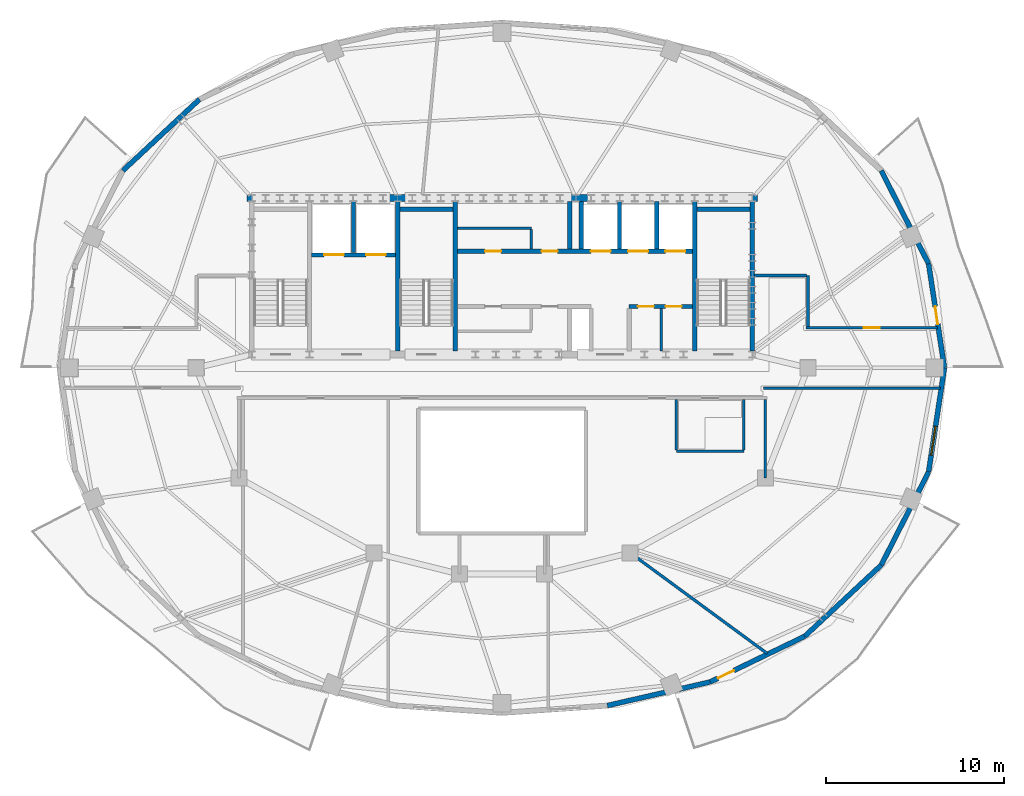
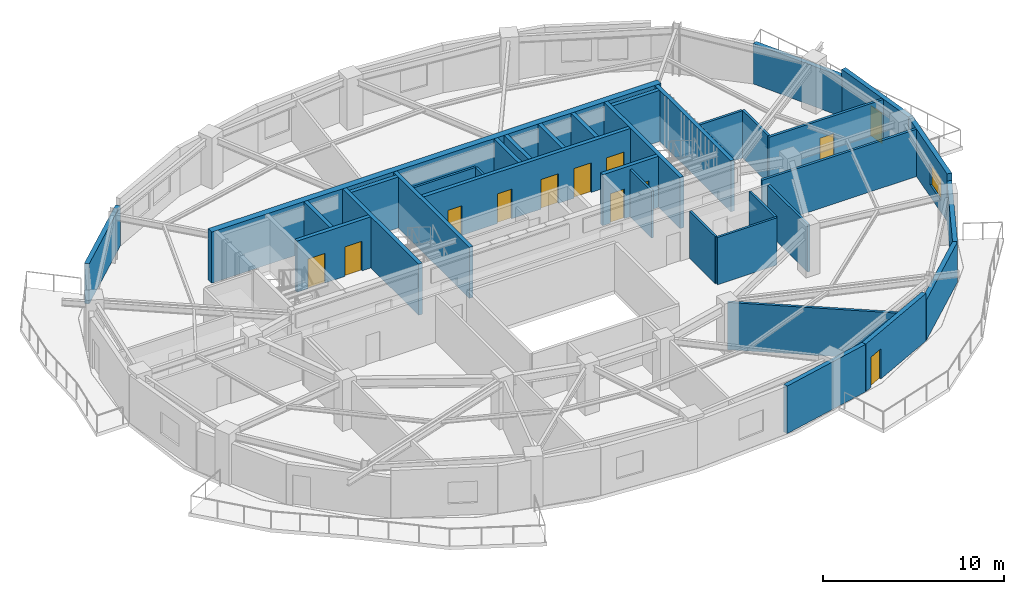
# One storey, part 5 of 10: 35 walls, 12 doors, 1 window, 13 openings.
"""IFC4 building model written with IfcOpenShell, lengths in metres."""

from ifc_helpers import new_model, si_unit, direction, frame, frame_2d, origin, place, context, subcontext, project, spatial, rectangle, extrude, material, layer, layer_set, type_object, element, fill, save


model = new_model("IFC4")

# Units and contexts
model_context = context("Model", 3, precision=1e-05, world=origin(), true_north=direction((0.0, 1.0)))
body_context = subcontext(model_context, "Body", "Model", "MODEL_VIEW")
ifc_project = project(units=[si_unit("LENGTHUNIT", "METRE"), si_unit("AREAUNIT", "SQUARE_METRE"), si_unit("VOLUMEUNIT", "CUBIC_METRE"), si_unit("PLANEANGLEUNIT", "RADIAN"), si_unit("MASSUNIT", "GRAM", prefix="KILO")], contexts=[model_context])

# Site, building, storey
site_placement = place(None, origin())
site = spatial("IfcSite", under=ifc_project, at=site_placement, CompositionType="ELEMENT")
building_placement = place(site_placement, origin())
building = spatial("IfcBuilding", under=site, at=building_placement, Name="Haldorwick Loom Tower", CompositionType="ELEMENT")
storey_placement = place(building_placement, frame((0.0, 0.0, 266.10009765625)))
storey = spatial("IfcBuildingStorey", under=building, at=storey_placement, Name="L72", CompositionType="ELEMENT", Elevation=266.10009765625)

# Wall, opening, door
ifc_material_1 = material(Name="Pressed Clay Face Brick and Insulated Masonry Backup Assembly", Category="masonry")
ifc_layer_1 = layer(ifc_material_1, 0.280029296875, Name="Pressed Clay Face Brick and Insulated Masonry Backup Assembly", Category="masonry")
ifc_layer_set_1 = layer_set([ifc_layer_1], Name="Pressed Clay Face Brick and Insulated Masonry Backup Assembly")
wall_type_1 = type_object("IfcWallType", Name="ARC-WL-EXT280", PredefinedType="STANDARD", material=ifc_layer_set_1)
wall_1_placement = place(storey_placement, frame((60.876708984375, 26.0, 0.0), z_axis=(0.0, 0.0, 1.0), x_axis=(-0.150497234153, 0.988610430105, 0.0)))
wall_1 = element("IfcWall", 1, at=wall_1_placement, inside=storey, type_object=wall_type_1, Name="L72 Brick Pier and Spandrel Wall 1", PredefinedType="STANDARD", context=body_context, shape_type="SweptSolid", body=[
    extrude(rectangle(XDim=5.916259765625, YDim=0.280029296875, at=frame_2d((2.9580078125, 0.0))), origin(), (0.0, 0.0, 1.0), 3.2099609375),
])
opening_1_placement = place(wall_1_placement, frame((2.488037109375, 0.0, 0.0)))
opening_1 = element("IfcOpeningElement", 2, at=opening_1_placement, cuts=wall_1, Name="Opening D-BL10", PredefinedType="OPENING", context=body_context, shape_type="SweptSolid", body=[
    extrude(rectangle(XDim=1.0, YDim=2.0400390625, at=frame_2d((0.5, 1.02001953125))), frame((0.0, 0.14990234375, 0.0), z_axis=(0.0, -1.0, 0.0), x_axis=(1.0, 0.0, 0.0)), (0.0, 0.0, 1.0), 0.300048828125),
])
ifc_material_2 = material(Name="Thermally Broken Anodized Aluminium Curtain Wall Framing", Category="aluminium")
door_type_1 = type_object("IfcDoorType", Name="ARC-DR-BAL100", OperationType="NOTDEFINED", PredefinedType="DOOR", material=ifc_material_2)
door_1_placement = place(opening_1_placement, origin())
door_1 = element("IfcDoor", 3, at=door_1_placement, inside=storey, type_object=door_type_1, Name="L72 Outdoor Terrace Door SLB-L72-BAL_ENE", OperationType="SINGLE_SWING_RIGHT", OverallHeight=2.0400390625, OverallWidth=1.0, PredefinedType="DOOR", context=body_context, shape_type="SweptSolid", body=[
    extrude(rectangle(XDim=1.0, YDim=2.0400390625, at=frame_2d((0.5, 1.02001953125))), frame((0.0, 0.02490234375, 0.0), z_axis=(0.0, -1.0, 0.0), x_axis=(1.0, 0.0, 0.0)), (0.0, 0.0, 1.0), 0.050048828125),
])
fill(opening_1, door_1)

# Walls
wall_2_placement = place(storey_placement, frame((59.986328125, 31.848876953125, 0.0), z_axis=(0.0, 0.0, 1.0), x_axis=(-0.453100705059, 0.89145933787, 0.0)))
element("IfcWall", 4, at=wall_2_placement, inside=storey, type_object=wall_type_1, Name="L72 Brick Pier and Spandrel Wall 2", PredefinedType="STANDARD", context=body_context, shape_type="SweptSolid", body=[
    extrude(rectangle(XDim=5.879150390625, YDim=0.280029296875, at=frame_2d((2.939453125, 0.0))), origin(), (0.0, 0.0, 1.0), 2.718994140625),
])
wall_3_placement = place(storey_placement, frame((18.98046875, 41.095703125, 0.0), z_axis=(0.0, 0.0, 1.0), x_axis=(-0.731924682982, -0.68138554317, 0.0)))
element("IfcWall", 5, at=wall_3_placement, inside=storey, type_object=wall_type_1, Name="L72 Brick Pier and Spandrel Wall 10", PredefinedType="STANDARD", context=body_context, shape_type="SweptSolid", body=[
    extrude(rectangle(XDim=5.87890625, YDim=0.280029296875, at=frame_2d((2.939453125, 0.0))), origin(), (0.0, 0.0, 1.0), 2.718994140625),
])
wall_4_placement = place(storey_placement, frame((41.91943359375, 7.006103515625, 0.0), z_axis=(0.0, 0.0, 1.0), x_axis=(0.974589984037, 0.223996345987, 0.0)))
element("IfcWall", 6, at=wall_4_placement, inside=storey, type_object=wall_type_1, Name="L72 Brick Pier and Spandrel Wall 20", PredefinedType="STANDARD", context=body_context, shape_type="SweptSolid", body=[
    extrude(rectangle(XDim=5.92919921875, YDim=0.280029296875, at=frame_2d((2.964599609375, 0.0))), origin(), (0.0, 0.0, 1.0), 3.2099609375),
])

# Wall, opening, door
wall_5_placement = place(storey_placement, frame((47.697998046875, 8.334228515625, 0.0), z_axis=(0.0, 0.0, 1.0), x_axis=(0.900481907967, 0.434893473651, 0.0)))
wall_5 = element("IfcWall", 7, at=wall_5_placement, inside=storey, type_object=wall_type_1, Name="L72 Brick Pier and Spandrel Wall 21", PredefinedType="STANDARD", context=body_context, shape_type="SweptSolid", body=[
    extrude(rectangle(XDim=5.90966796875, YDim=0.280029296875, at=frame_2d((2.954833984375, 0.0))), origin(), (0.0, 0.0, 1.0), 3.2099609375),
])
opening_2_placement = place(wall_5_placement, frame((0.486083984375, 0.0, 0.0)))
opening_2 = element("IfcOpeningElement", 8, at=opening_2_placement, cuts=wall_5, Name="Opening D-BL10", PredefinedType="OPENING", context=body_context, shape_type="SweptSolid", body=[
    extrude(rectangle(XDim=1.0, YDim=2.0400390625, at=frame_2d((0.5, 1.02001953125))), frame((0.0, 0.14990234375, 0.0), z_axis=(0.0, -1.0, 0.0), x_axis=(1.0, 0.0, 0.0)), (0.0, 0.0, 1.0), 0.300048828125),
])
door_2_placement = place(opening_2_placement, origin())
door_2 = element("IfcDoor", 9, at=door_2_placement, inside=storey, type_object=door_type_1, Name="L72 Outdoor Terrace Door SLB-L72-BAL_SE", OperationType="SINGLE_SWING_RIGHT", OverallHeight=2.0400390625, OverallWidth=1.0, PredefinedType="DOOR", context=body_context, shape_type="SweptSolid", body=[
    extrude(rectangle(XDim=1.0, YDim=2.0400390625, at=frame_2d((0.5, 1.02001953125))), frame((0.0, 0.02490234375, 0.0), z_axis=(0.0, -1.0, 0.0), x_axis=(1.0, 0.0, 0.0)), (0.0, 0.0, 1.0), 0.050048828125),
])
fill(opening_2, door_2)

# Walls
wall_6_placement = place(storey_placement, frame((53.01953125, 10.904296875, 0.0), z_axis=(0.0, 0.0, 1.0), x_axis=(0.731924682982, 0.68138554317, 0.0)))
element("IfcWall", 10, at=wall_6_placement, inside=storey, type_object=wall_type_1, Name="L72 Brick Pier and Spandrel Wall 22", PredefinedType="STANDARD", context=body_context, shape_type="SweptSolid", body=[
    extrude(rectangle(XDim=5.87890625, YDim=0.280029296875, at=frame_2d((2.939453125, 0.0))), origin(), (0.0, 0.0, 1.0), 2.718994140625),
])
wall_7_placement = place(storey_placement, frame((57.322509765625, 14.91015625, 0.0), z_axis=(0.0, 0.0, 1.0), x_axis=(0.453100705059, 0.89145933787, 0.0)))
element("IfcWall", 11, at=wall_7_placement, inside=storey, type_object=wall_type_1, Name="L72 Brick Pier and Spandrel Wall 23", PredefinedType="STANDARD", context=body_context, shape_type="SweptSolid", body=[
    extrude(rectangle(XDim=5.879150390625, YDim=0.280029296875, at=frame_2d((2.939453125, 0.0))), origin(), (0.0, 0.0, 1.0), 2.718994140625),
])

# Wall, opening, window
wall_8_placement = place(storey_placement, frame((59.986328125, 20.151123046875, 0.0), z_axis=(0.0, 0.0, 1.0), x_axis=(0.150497234153, 0.988610430105, 0.0)))
wall_8 = element("IfcWall", 12, at=wall_8_placement, inside=storey, type_object=wall_type_1, Name="L72 Brick Pier and Spandrel Wall 24", PredefinedType="STANDARD", context=body_context, shape_type="SweptSolid", body=[
    extrude(rectangle(XDim=5.916259765625, YDim=0.280029296875, at=frame_2d((2.9580078125, 0.0))), origin(), (0.0, 0.0, 1.0), 3.2099609375),
])
opening_3_placement = place(wall_8_placement, frame((0.949951171875, 0.0, 0.800048828125)))
opening_3 = element("IfcOpeningElement", 13, at=opening_3_placement, cuts=wall_8, Name="Opening W-01B", PredefinedType="OPENING", context=body_context, shape_type="SweptSolid", body=[
    extrude(rectangle(XDim=1.64990234375, YDim=1.449951171875, at=frame_2d((0.824951171875, 0.72509765625))), frame((0.0, 0.14990234375, 0.0), z_axis=(0.0, -1.0, 0.0), x_axis=(1.0, 0.0, 0.0)), (0.0, 0.0, 1.0), 0.300048828125),
])
ifc_material_3 = material(Name="Triple-Glazed Low-E Argon Insulated Glazing Unit", Category="glass")
window_type = type_object("IfcWindowType", Name="ARC-WIN-W165", PartitioningType="SINGLE_PANEL", PredefinedType="WINDOW", material=ifc_material_3)
window_placement = place(opening_3_placement, origin())
window = element("IfcWindow", 14, at=window_placement, inside=storey, type_object=window_type, Name="L72 Deep-Set Zone 7A Window 24", OverallHeight=1.449951171875, OverallWidth=1.64990234375, PartitioningType="SINGLE_PANEL", PredefinedType="WINDOW", context=body_context, shape_type="SweptSolid", body=[
    extrude(rectangle(XDim=1.64990234375, YDim=1.449951171875, at=frame_2d((0.824951171875, 0.72509765625))), frame((0.0, 0.030029296875, 0.0), z_axis=(0.0, -1.0, 0.0), x_axis=(1.0, 0.0, 0.0)), (0.0, 0.0, 1.0), 0.06005859375),
])
fill(opening_3, window)

# Wall
ifc_material_4 = material(Name="Fire-Rated Type X Gypsum Stud Assembly EI 60")
ifc_layer_2 = layer(ifc_material_4, 0.159912109375, Name="Fire-Rated Type X Gypsum Stud Assembly EI 60")
ifc_layer_set_2 = layer_set([ifc_layer_2], Name="Fire-Rated Type X Gypsum Stud Assembly EI 60")
wall_type_2 = type_object("IfcWallType", Name="ARC-WL-FIRE160", PredefinedType="PARTITIONING", material=ifc_layer_set_2)
wall_9_placement = place(storey_placement, frame((50.699951171875, 24.85009765625, 0.0), z_axis=(0.0, 0.0, 1.0), x_axis=(1.0, 0.0, 0.0)))
element("IfcWall", 15, at=wall_9_placement, inside=storey, type_object=wall_type_2, Name="L72 Residential Fire Partition L72-CR-SPE", PredefinedType="PARTITIONING", context=body_context, shape_type="SweptSolid", body=[
    extrude(rectangle(XDim=9.956298828125, YDim=0.159912109375, at=frame_2d((4.97802734375, 0.0))), origin(), (0.0, 0.0, 1.0), 3.19482421875),
])

# Wall, opening, door
wall_10_placement = place(storey_placement, frame((53.10009765625, 28.25, 0.0), z_axis=(0.0, 0.0, 1.0), x_axis=(1.0, 0.0, 0.0)))
wall_10 = element("IfcWall", 16, at=wall_10_placement, inside=storey, type_object=wall_type_2, Name="L72 Residential Fire Partition L72-CR-NEL", PredefinedType="PARTITIONING", context=body_context, shape_type="SweptSolid", body=[
    extrude(rectangle(XDim=7.388671875, YDim=0.159912109375, at=frame_2d((3.6943359375, 0.0))), origin(), (0.0, 0.0, 1.0), 3.19482421875),
])
opening_4_placement = place(wall_10_placement, frame((3.244384765625, 0.0, 0.0)))
opening_4 = element("IfcOpeningElement", 17, at=opening_4_placement, cuts=wall_10, Name="Opening D-FD60A", PredefinedType="OPENING", context=body_context, shape_type="SweptSolid", body=[
    extrude(rectangle(XDim=0.89990234375, YDim=2.0, at=frame_2d((0.449951171875, 1.0))), frame((0.0, 0.08984375, 0.0), z_axis=(0.0, -1.0, 0.0), x_axis=(1.0, 0.0, 0.0)), (0.0, 0.0, 1.0), 0.179931640625),
])
ifc_material_5 = material(Name="Hollow Steel Fire Door Assembly", Category="steel")
door_type_2 = type_object("IfcDoorType", Name="ARC-DR-FD60-90", OperationType="NOTDEFINED", PredefinedType="DOOR", material=ifc_material_5)
door_3_placement = place(opening_4_placement, frame((0.89990234375, 0.0, 0.0), z_axis=(0.0, 0.0, 1.0), x_axis=(-1.0, 0.0, 0.0)))
door_3 = element("IfcDoor", 18, at=door_3_placement, inside=storey, type_object=door_type_2, Name="L72 Community Library Hall 4 to L72 Central Residential Corridor Door", OperationType="SINGLE_SWING_LEFT", OverallHeight=2.0, OverallWidth=0.89990234375, PredefinedType="DOOR", context=body_context, shape_type="SweptSolid", body=[
    extrude(rectangle(XDim=0.89990234375, YDim=2.0, at=frame_2d((0.449951171875, 1.0))), frame((0.0, 0.02490234375, 0.0), z_axis=(0.0, -1.0, 0.0), x_axis=(1.0, 0.0, 0.0)), (0.0, 0.0, 1.0), 0.050048828125),
])
fill(opening_4, door_3)

# Walls
wall_11_placement = place(storey_placement, frame((53.199951171875, 28.3330078125, 0.0), z_axis=(0.0, 0.0, 1.0), x_axis=(0.0, 1.0, 0.0)))
element("IfcWall", 19, at=wall_11_placement, inside=storey, type_object=wall_type_2, Name="L72 Residential Fire Partition L72-CR-E0", PredefinedType="PARTITIONING", context=body_context, shape_type="SweptSolid", body=[
    extrude(rectangle(XDim=2.866943359375, YDim=0.159912109375, at=frame_2d((1.43359375, 0.0))), origin(), (0.0, 0.0, 1.0), 3.19482421875),
])
wall_12_placement = place(storey_placement, frame((50.193115234375, 31.199951171875, 0.0), z_axis=(0.0, 0.0, 1.0), x_axis=(1.0, 0.0, 0.0)))
element("IfcWall", 20, at=wall_12_placement, inside=storey, type_object=wall_type_2, Name="L72 Residential Fire Partition L72-CR-ENJ", PredefinedType="PARTITIONING", context=body_context, shape_type="SweptSolid", body=[
    extrude(rectangle(XDim=2.923828125, YDim=0.159912109375, at=frame_2d((1.4619140625, 0.0))), origin(), (0.0, 0.0, 1.0), 3.19482421875),
])
wall_13_placement = place(storey_placement, frame((43.199951171875, 15.60009765625, 0.0), z_axis=(0.0, 0.0, 1.0), x_axis=(0.805865163957, -0.592099094341, 0.0)))
element("IfcWall", 21, at=wall_13_placement, inside=storey, type_object=wall_type_2, Name="L72 Residential Fire Partition L72-ICR-03", PredefinedType="PARTITIONING", context=body_context, shape_type="SweptSolid", body=[
    extrude(rectangle(XDim=9.5673828125, YDim=0.159912109375, at=frame_2d((4.78369140625, 0.0))), origin(), (0.0, 0.0, 1.0), 3.19482421875),
])
wall_14_placement = place(storey_placement, frame((50.800048828125, 24.217041015625, 0.0), z_axis=(0.0, 0.0, 1.0), x_axis=(0.0, -1.0, 0.0)))
element("IfcWall", 22, at=wall_14_placement, inside=storey, type_object=wall_type_2, Name="L72 Residential Fire Partition L72-ICA-01", PredefinedType="PARTITIONING", context=body_context, shape_type="SweptSolid", body=[
    extrude(rectangle(XDim=4.4169921875, YDim=0.159912109375, at=frame_2d((2.20849609375, 0.0))), origin(), (0.0, 0.0, 1.0), 3.19482421875),
])
ifc_layer_3 = layer(ifc_material_4, 0.139892578125, Name="Fire-Rated Type X Gypsum Stud Assembly EI 60")
ifc_layer_set_3 = layer_set([ifc_layer_3], Name="Fire-Rated Type X Gypsum Stud Assembly EI 60")
wall_type_3 = type_object("IfcWallType", Name="ARC-WL-PART140", PredefinedType="PARTITIONING", material=ifc_layer_set_3)
wall_15_placement = place(storey_placement, frame((33.492919921875, 33.85009765625, 0.0), z_axis=(0.0, 0.0, 1.0), x_axis=(1.0, 0.0, 0.0)))
element("IfcWall", 23, at=wall_15_placement, inside=storey, type_object=wall_type_3, Name="L72 Storage South Partition", PredefinedType="PARTITIONING", context=body_context, shape_type="SweptSolid", body=[
    extrude(rectangle(XDim=4.156982421875, YDim=0.139892578125, at=frame_2d((2.07861328125, 0.0))), origin(), (0.0, 0.0, 1.0), 3.19482421875),
])
wall_16_placement = place(storey_placement, frame((37.64990234375, 32.673095703125, 0.0), z_axis=(0.0, 0.0, 1.0), x_axis=(0.0, 1.0, 0.0)))
element("IfcWall", 24, at=wall_16_placement, inside=storey, type_object=wall_type_3, Name="L72 Storage East Partition", PredefinedType="PARTITIONING", context=body_context, shape_type="SweptSolid", body=[
    extrude(rectangle(XDim=1.10400390625, YDim=0.139892578125, at=frame_2d((0.552001953125, 0.0))), origin(), (0.0, 0.0, 1.0), 3.19482421875),
])
wall_17_placement = place(storey_placement, frame((44.949951171875, 26.952880859375, 0.0), z_axis=(0.0, 0.0, 1.0), x_axis=(0.0, 1.0, 0.0)))
element("IfcWall", 25, at=wall_17_placement, inside=storey, type_object=wall_type_3, Name="L72 Service Partition", PredefinedType="PARTITIONING", context=body_context, shape_type="SweptSolid", body=[
    extrude(rectangle(XDim=2.3740234375, YDim=0.139892578125, at=frame_2d((1.18701171875, 0.0))), origin(), (0.0, 0.0, 1.0), 3.19482421875),
])
wall_18_placement = place(storey_placement, frame((45.800048828125, 21.300048828125, 0.0), z_axis=(0.0, 0.0, 1.0), x_axis=(1.0, 0.0, 0.0)))
element("IfcWall", 26, at=wall_18_placement, inside=storey, type_object=wall_type_3, Name="L72 Residential Fire Partition L72-CWC-S", PredefinedType="PARTITIONING", context=body_context, shape_type="SweptSolid", body=[
    extrude(rectangle(XDim=3.800048828125, YDim=0.139892578125, at=frame_2d((1.89990234375, 0.0))), origin(), (0.0, 0.0, 1.0), 3.19482421875),
])
for number, where, z_axis, x_axis, name in (
    (27, (45.800048828125, 21.373046875, 0.0), (0.0, 0.0, 1.0), (0.0, 1.0, 0.0), "L72 Residential Fire Partition L72-CWC-W"),
    (28, (49.60009765625, 21.373046875, 0.0), (0.0, 0.0, 1.0), (0.0, 1.0, 0.0), "L72 Residential Fire Partition L72-CWC-E"),
):
    element("IfcWall", number, at=place(storey_placement, frame(where, z_axis=z_axis, x_axis=x_axis)), inside=storey, type_object=wall_type_3, Name=name, PredefinedType="PARTITIONING", context=body_context, shape_type="SweptSolid", body=[
        extrude(rectangle(XDim=2.843994140625, YDim=0.139892578125, at=frame_2d((1.421875, 0.0))), origin(), (0.0, 0.0, 1.0), 3.19482421875),
    ])
ifc_material_6 = material(Name="Concrete C50 (50 MPa)", Category="concrete")
ifc_layer_4 = layer(ifc_material_6, 0.39990234375, Name="Concrete C50 (50 MPa)", Category="concrete")
ifc_layer_set_4 = layer_set([ifc_layer_4], Name="Concrete C50 (50 MPa)")
wall_type_4 = type_object("IfcWallType", Name="STR-WL-CORE400", PredefinedType="SHEAR", material=ifc_layer_set_4)
wall_19_placement = place(storey_placement, frame((50.35009765625, 35.550048828125, 0.0), z_axis=(0.0, 0.0, 1.0), x_axis=(-1.0, 0.0, 0.0)))
element("IfcWall", 29, at=wall_19_placement, inside=storey, type_object=wall_type_4, Name="L72 Core Shear Wall N", PredefinedType="SHEAR", context=body_context, shape_type="SweptSolid", body=[
    extrude(rectangle(XDim=28.7001953125, YDim=0.39990234375, at=frame_2d((14.35009765625, 0.0))), origin(), (0.0, 0.0, 1.0), 3.449951171875),
])
ifc_layer_5 = layer(ifc_material_6, 0.239990234375, Name="Concrete C50 (50 MPa)", Category="concrete")
ifc_layer_set_5 = layer_set([ifc_layer_5], Name="Concrete C50 (50 MPa)")
wall_type_5 = type_object("IfcWallType", Name="STR-WL-SHAFT240", PredefinedType="SHEAR", material=ifc_layer_set_5)
for number, where, z_axis, x_axis, name in (
    (30, (50.070068359375, 26.952880859375, 0.0), (0.0, 0.0, 1.0), (0.0, 1.0, 0.0), "L72 Core Shear Wall E"),
    (31, (30.1298828125, 26.952880859375, 0.0), (0.0, 0.0, 1.0), (0.0, 1.0, 0.0), "L72 Core Shear Wall 2"),
    (32, (33.3701171875, 26.952880859375, 0.0), (0.0, 0.0, 1.0), (0.0, 1.0, 0.0), "L72 Core Shear Wall 3"),
):
    element("IfcWall", number, at=place(storey_placement, frame(where, z_axis=z_axis, x_axis=x_axis)), inside=storey, type_object=wall_type_5, Name=name, PredefinedType="SHEAR", context=body_context, shape_type="SweptSolid", body=[
        extrude(rectangle(XDim=8.39404296875, YDim=0.239990234375, at=frame_2d((4.197021484375, 0.0))), origin(), (0.0, 0.0, 1.0), 3.449951171875),
    ])
wall_20_placement = place(storey_placement, frame((30.2529296875, 34.919921875, 0.0), z_axis=(0.0, 0.0, 1.0), x_axis=(1.0, 0.0, 0.0)))
element("IfcWall", 33, at=wall_20_placement, inside=storey, type_object=wall_type_5, Name="L72 Core Shear Wall 3N", PredefinedType="SHEAR", context=body_context, shape_type="SweptSolid", body=[
    extrude(rectangle(XDim=2.994140625, YDim=0.239990234375, at=frame_2d((1.4970703125, 0.0))), origin(), (0.0, 0.0, 1.0), 3.449951171875),
])
wall_21_placement = place(storey_placement, frame((46.830078125, 26.952880859375, 0.0), z_axis=(0.0, 0.0, 1.0), x_axis=(0.0, 1.0, 0.0)))
element("IfcWall", 34, at=wall_21_placement, inside=storey, type_object=wall_type_5, Name="L72 Core Shear Wall 4", PredefinedType="SHEAR", context=body_context, shape_type="SweptSolid", body=[
    extrude(rectangle(XDim=8.39404296875, YDim=0.239990234375, at=frame_2d((4.197021484375, 0.0))), origin(), (0.0, 0.0, 1.0), 3.449951171875),
])
wall_22_placement = place(storey_placement, frame((46.952880859375, 34.919921875, 0.0), z_axis=(0.0, 0.0, 1.0), x_axis=(1.0, 0.0, 0.0)))
element("IfcWall", 35, at=wall_22_placement, inside=storey, type_object=wall_type_5, Name="L72 Core Shear Wall 4N", PredefinedType="SHEAR", context=body_context, shape_type="SweptSolid", body=[
    extrude(rectangle(XDim=2.994140625, YDim=0.239990234375, at=frame_2d((1.4970703125, 0.0))), origin(), (0.0, 0.0, 1.0), 3.449951171875),
])

# Wall, openings, doors
wall_23_placement = place(storey_placement, frame((25.29296875, 32.35009765625, 0.0), z_axis=(0.0, 0.0, 1.0), x_axis=(1.0, 0.0, 0.0)))
wall_23 = element("IfcWall", 36, at=wall_23_placement, inside=storey, type_object=wall_type_5, Name="L72 Core Shear Wall FF", PredefinedType="SHEAR", context=body_context, shape_type="SweptSolid", body=[
    extrude(rectangle(XDim=4.714111328125, YDim=0.239990234375, at=frame_2d((2.35693359375, 0.0))), origin(), (0.0, 0.0, 1.0), 3.449951171875),
])
opening_5_placement = place(wall_23_placement, frame((0.70703125, 0.0, 0.0)))
opening_5 = element("IfcOpeningElement", 37, at=opening_5_placement, cuts=wall_23, Name="Opening LD-FF1", PredefinedType="OPENING", context=body_context, shape_type="SweptSolid", body=[
    extrude(rectangle(XDim=1.10009765625, YDim=2.0, at=frame_2d((0.550048828125, 1.0))), frame((0.0, 0.1298828125, 0.0), z_axis=(0.0, -1.0, 0.0), x_axis=(1.0, 0.0, 0.0)), (0.0, 0.0, 1.0), 0.260009765625),
])
opening_6_placement = place(wall_23_placement, frame((3.056884765625, 0.0, 0.0)))
opening_6 = element("IfcOpeningElement", 38, at=opening_6_placement, cuts=wall_23, Name="Opening LD-FF2", PredefinedType="OPENING", context=body_context, shape_type="SweptSolid", body=[
    extrude(rectangle(XDim=1.10009765625, YDim=2.0, at=frame_2d((0.550048828125, 1.0))), frame((0.0, 0.1298828125, 0.0), z_axis=(0.0, -1.0, 0.0), x_axis=(1.0, 0.0, 0.0)), (0.0, 0.0, 1.0), 0.260009765625),
])
door_type_3 = type_object("IfcDoorType", Name="ARC-DR-LD-FF", OperationType="NOTDEFINED", PredefinedType="USERDEFINED", material=ifc_material_5)
door_4_placement = place(opening_5_placement, origin())
door_4 = element("IfcDoor", 39, at=door_4_placement, inside=storey, type_object=door_type_3, Name="L72 Lift LF-FF1 Sliding Landing Door", ObjectType="LANDING DOOR", OperationType="DOUBLE_DOOR_SLIDING", OverallHeight=2.0, OverallWidth=1.10009765625, PredefinedType="USERDEFINED", context=body_context, shape_type="SweptSolid", body=[
    extrude(rectangle(XDim=1.10009765625, YDim=2.0, at=frame_2d((0.550048828125, 1.0))), frame((0.0, 0.02490234375, 0.0), z_axis=(0.0, -1.0, 0.0), x_axis=(1.0, 0.0, 0.0)), (0.0, 0.0, 1.0), 0.050048828125),
])
fill(opening_5, door_4)
door_5_placement = place(opening_6_placement, origin())
door_5 = element("IfcDoor", 40, at=door_5_placement, inside=storey, type_object=door_type_3, Name="L72 Lift LF-FF2 Sliding Landing Door", ObjectType="LANDING DOOR", OperationType="DOUBLE_DOOR_SLIDING", OverallHeight=2.0, OverallWidth=1.10009765625, PredefinedType="USERDEFINED", context=body_context, shape_type="SweptSolid", body=[
    extrude(rectangle(XDim=1.10009765625, YDim=2.0, at=frame_2d((0.550048828125, 1.0))), frame((0.0, 0.02490234375, 0.0), z_axis=(0.0, -1.0, 0.0), x_axis=(1.0, 0.0, 0.0)), (0.0, 0.0, 1.0), 0.050048828125),
])
fill(opening_6, door_5)

# Wall
wall_24_placement = place(storey_placement, frame((27.64990234375, 32.472900390625, 0.0), z_axis=(0.0, 0.0, 1.0), x_axis=(0.0, 1.0, 0.0)))
element("IfcWall", 41, at=wall_24_placement, inside=storey, type_object=wall_type_5, Name="L72 Core Shear Wall FFD", PredefinedType="SHEAR", context=body_context, shape_type="SweptSolid", body=[
    extrude(rectangle(XDim=2.8740234375, YDim=0.239990234375, at=frame_2d((1.43701171875, 0.0))), origin(), (0.0, 0.0, 1.0), 3.449951171875),
])

# Wall, openings, doors
wall_25_placement = place(storey_placement, frame((33.492919921875, 32.550048828125, 0.0), z_axis=(0.0, 0.0, 1.0), x_axis=(1.0, 0.0, 0.0)))
wall_25 = element("IfcWall", 42, at=wall_25_placement, inside=storey, type_object=wall_type_5, Name="L72 Core Shear Wall LN", PredefinedType="SHEAR", context=body_context, shape_type="SweptSolid", body=[
    extrude(rectangle(XDim=13.214111328125, YDim=0.239990234375, at=frame_2d((6.60693359375, 0.0))), origin(), (0.0, 0.0, 1.0), 3.449951171875),
])
opening_7_placement = place(wall_25_placement, frame((1.556884765625, 0.0, 0.0)))
opening_7 = element("IfcOpeningElement", 43, at=opening_7_placement, cuts=wall_25, Name="Opening D-FD60A", PredefinedType="OPENING", context=body_context, shape_type="SweptSolid", body=[
    extrude(rectangle(XDim=0.89990234375, YDim=2.0, at=frame_2d((0.449951171875, 1.0))), frame((0.0, 0.1298828125, 0.0), z_axis=(0.0, -1.0, 0.0), x_axis=(1.0, 0.0, 0.0)), (0.0, 0.0, 1.0), 0.260009765625),
])
opening_8_placement = place(wall_25_placement, frame((4.737060546875, 0.0, 0.0)))
opening_8 = element("IfcOpeningElement", 44, at=opening_8_placement, cuts=wall_25, Name="Opening D-FD60A", PredefinedType="OPENING", context=body_context, shape_type="SweptSolid", body=[
    extrude(rectangle(XDim=0.89990234375, YDim=2.0, at=frame_2d((0.449951171875, 1.0))), frame((0.0, 0.1298828125, 0.0), z_axis=(0.0, -1.0, 0.0), x_axis=(1.0, 0.0, 0.0)), (0.0, 0.0, 1.0), 0.260009765625),
])
opening_9_placement = place(wall_25_placement, frame((7.4970703125, 0.0, 0.0)))
opening_9 = element("IfcOpeningElement", 45, at=opening_9_placement, cuts=wall_25, Name="Opening LD-H1", PredefinedType="OPENING", context=body_context, shape_type="SweptSolid", body=[
    extrude(rectangle(XDim=1.1201171875, YDim=2.0, at=frame_2d((0.56005859375, 1.0))), frame((0.0, 0.1298828125, 0.0), z_axis=(0.0, -1.0, 0.0), x_axis=(1.0, 0.0, 0.0)), (0.0, 0.0, 1.0), 0.260009765625),
])
opening_10_placement = place(wall_25_placement, frame((9.596923828125, 0.0, 0.0)))
opening_10 = element("IfcOpeningElement", 46, at=opening_10_placement, cuts=wall_25, Name="Opening LD-H2", PredefinedType="OPENING", context=body_context, shape_type="SweptSolid", body=[
    extrude(rectangle(XDim=1.1201171875, YDim=2.0, at=frame_2d((0.56005859375, 1.0))), frame((0.0, 0.1298828125, 0.0), z_axis=(0.0, -1.0, 0.0), x_axis=(1.0, 0.0, 0.0)), (0.0, 0.0, 1.0), 0.260009765625),
])
opening_11_placement = place(wall_25_placement, frame((11.697021484375, 0.0, 0.0)))
opening_11 = element("IfcOpeningElement", 47, at=opening_11_placement, cuts=wall_25, Name="Opening LD-H3", PredefinedType="OPENING", context=body_context, shape_type="SweptSolid", body=[
    extrude(rectangle(XDim=1.1201171875, YDim=2.0, at=frame_2d((0.56005859375, 1.0))), frame((0.0, 0.1298828125, 0.0), z_axis=(0.0, -1.0, 0.0), x_axis=(1.0, 0.0, 0.0)), (0.0, 0.0, 1.0), 0.260009765625),
])
door_6_placement = place(opening_7_placement, frame((0.89990234375, 0.0, 0.0), z_axis=(0.0, 0.0, 1.0), x_axis=(-1.0, 0.0, 0.0)))
door_6 = element("IfcDoor", 48, at=door_6_placement, inside=storey, type_object=door_type_2, Name="L72 Resident Storage Door", OperationType="SINGLE_SWING_LEFT", OverallHeight=2.0, OverallWidth=0.89990234375, PredefinedType="DOOR", context=body_context, shape_type="SweptSolid", body=[
    extrude(rectangle(XDim=0.89990234375, YDim=2.0, at=frame_2d((0.449951171875, 1.0))), frame((0.0, 0.02490234375, 0.0), z_axis=(0.0, -1.0, 0.0), x_axis=(1.0, 0.0, 0.0)), (0.0, 0.0, 1.0), 0.050048828125),
])
fill(opening_7, door_6)
door_7_placement = place(opening_8_placement, frame((0.89990234375, 0.0, 0.0), z_axis=(0.0, 0.0, 1.0), x_axis=(-1.0, 0.0, 0.0)))
door_7 = element("IfcDoor", 49, at=door_7_placement, inside=storey, type_object=door_type_2, Name="L72 Laundry Door", OperationType="SINGLE_SWING_RIGHT", OverallHeight=2.0, OverallWidth=0.89990234375, PredefinedType="DOOR", context=body_context, shape_type="SweptSolid", body=[
    extrude(rectangle(XDim=0.89990234375, YDim=2.0, at=frame_2d((0.449951171875, 1.0))), frame((0.0, 0.02490234375, 0.0), z_axis=(0.0, -1.0, 0.0), x_axis=(1.0, 0.0, 0.0)), (0.0, 0.0, 1.0), 0.050048828125),
])
fill(opening_8, door_7)
door_type_4 = type_object("IfcDoorType", Name="ARC-DR-LD-PAX", OperationType="NOTDEFINED", PredefinedType="USERDEFINED", material=ifc_material_5)
door_8_placement = place(opening_9_placement, origin())
door_8 = element("IfcDoor", 50, at=door_8_placement, inside=storey, type_object=door_type_4, Name="L72 Lift LF-H1 Sliding Landing Door", ObjectType="LANDING DOOR", OperationType="DOUBLE_DOOR_SLIDING", OverallHeight=2.0, OverallWidth=1.1201171875, PredefinedType="USERDEFINED", context=body_context, shape_type="SweptSolid", body=[
    extrude(rectangle(XDim=1.1201171875, YDim=2.0, at=frame_2d((0.56005859375, 1.0))), frame((0.0, 0.02490234375, 0.0), z_axis=(0.0, -1.0, 0.0), x_axis=(1.0, 0.0, 0.0)), (0.0, 0.0, 1.0), 0.050048828125),
])
fill(opening_9, door_8)
door_9_placement = place(opening_10_placement, origin())
door_9 = element("IfcDoor", 51, at=door_9_placement, inside=storey, type_object=door_type_4, Name="L72 Lift LF-H2 Sliding Landing Door", ObjectType="LANDING DOOR", OperationType="DOUBLE_DOOR_SLIDING", OverallHeight=2.0, OverallWidth=1.1201171875, PredefinedType="USERDEFINED", context=body_context, shape_type="SweptSolid", body=[
    extrude(rectangle(XDim=1.1201171875, YDim=2.0, at=frame_2d((0.56005859375, 1.0))), frame((0.0, 0.02490234375, 0.0), z_axis=(0.0, -1.0, 0.0), x_axis=(1.0, 0.0, 0.0)), (0.0, 0.0, 1.0), 0.050048828125),
])
fill(opening_10, door_9)
door_10_placement = place(opening_11_placement, origin())
door_10 = element("IfcDoor", 52, at=door_10_placement, inside=storey, type_object=door_type_4, Name="L72 Lift LF-H3 Sliding Landing Door", ObjectType="LANDING DOOR", OperationType="DOUBLE_DOOR_SLIDING", OverallHeight=2.0, OverallWidth=1.1201171875, PredefinedType="USERDEFINED", context=body_context, shape_type="SweptSolid", body=[
    extrude(rectangle(XDim=1.1201171875, YDim=2.0, at=frame_2d((0.56005859375, 1.0))), frame((0.0, 0.02490234375, 0.0), z_axis=(0.0, -1.0, 0.0), x_axis=(1.0, 0.0, 0.0)), (0.0, 0.0, 1.0), 0.050048828125),
])
fill(opening_11, door_10)

wall_26_placement = place(storey_placement, frame((43.14990234375, 29.449951171875, 0.0), z_axis=(0.0, 0.0, 1.0), x_axis=(1.0, 0.0, 0.0)))
wall_26 = element("IfcWall", 53, at=wall_26_placement, inside=storey, type_object=wall_type_5, Name="L72 Core Shear Wall LS2", PredefinedType="SHEAR", context=body_context, shape_type="SweptSolid", body=[
    extrude(rectangle(XDim=3.55712890625, YDim=0.239990234375, at=frame_2d((1.778564453125, 0.0))), origin(), (0.0, 0.0, 1.0), 3.449951171875),
])
opening_12_placement = place(wall_26_placement, frame((0.47998046875, 0.0, 0.0)))
opening_12 = element("IfcOpeningElement", 54, at=opening_12_placement, cuts=wall_26, Name="Opening D-FD60A", PredefinedType="OPENING", context=body_context, shape_type="SweptSolid", body=[
    extrude(rectangle(XDim=0.89990234375, YDim=2.0, at=frame_2d((0.449951171875, 1.0))), frame((0.0, 0.1298828125, 0.0), z_axis=(0.0, -1.0, 0.0), x_axis=(1.0, 0.0, 0.0)), (0.0, 0.0, 1.0), 0.260009765625),
])
opening_13_placement = place(wall_26_placement, frame((2.050048828125, 0.0, 0.0)))
opening_13 = element("IfcOpeningElement", 55, at=opening_13_placement, cuts=wall_26, Name="Opening D-FD60A", PredefinedType="OPENING", context=body_context, shape_type="SweptSolid", body=[
    extrude(rectangle(XDim=0.89990234375, YDim=2.0, at=frame_2d((0.449951171875, 1.0))), frame((0.0, 0.1298828125, 0.0), z_axis=(0.0, -1.0, 0.0), x_axis=(1.0, 0.0, 0.0)), (0.0, 0.0, 1.0), 0.260009765625),
])
door_11_placement = place(opening_12_placement, origin())
door_11 = element("IfcDoor", 56, at=door_11_placement, inside=storey, type_object=door_type_2, Name="L72 Electrical Room Door", OperationType="SINGLE_SWING_LEFT", OverallHeight=2.0, OverallWidth=0.89990234375, PredefinedType="DOOR", context=body_context, shape_type="SweptSolid", body=[
    extrude(rectangle(XDim=0.89990234375, YDim=2.0, at=frame_2d((0.449951171875, 1.0))), frame((0.0, 0.02490234375, 0.0), z_axis=(0.0, -1.0, 0.0), x_axis=(1.0, 0.0, 0.0)), (0.0, 0.0, 1.0), 0.050048828125),
])
fill(opening_12, door_11)
door_12_placement = place(opening_13_placement, origin())
door_12 = element("IfcDoor", 57, at=door_12_placement, inside=storey, type_object=door_type_2, Name="L72 Cleaner's Store Door", OperationType="SINGLE_SWING_LEFT", OverallHeight=2.0, OverallWidth=0.89990234375, PredefinedType="DOOR", context=body_context, shape_type="SweptSolid", body=[
    extrude(rectangle(XDim=0.89990234375, YDim=2.0, at=frame_2d((0.449951171875, 1.0))), frame((0.0, 0.02490234375, 0.0), z_axis=(0.0, -1.0, 0.0), x_axis=(1.0, 0.0, 0.0)), (0.0, 0.0, 1.0), 0.050048828125),
])
fill(opening_13, door_12)

# Walls
for number, where, z_axis, x_axis, name in (
    (58, (39.800048828125, 32.673095703125, 0.0), (0.0, 0.0, 1.0), (0.0, 1.0, 0.0), "L72 Core Shear Wall LHW"),
    (59, (40.449951171875, 32.673095703125, 0.0), (0.0, 0.0, 1.0), (0.0, 1.0, 0.0), "L72 Core Shear Wall H0"),
    (60, (42.60009765625, 32.673095703125, 0.0), (0.0, 0.0, 1.0), (0.0, 1.0, 0.0), "L72 Core Shear Wall H1"),
    (61, (44.699951171875, 32.673095703125, 0.0), (0.0, 0.0, 1.0), (0.0, 1.0, 0.0), "L72 Core Shear Wall H2"),
):
    element("IfcWall", number, at=place(storey_placement, frame(where, z_axis=z_axis, x_axis=x_axis)), inside=storey, type_object=wall_type_5, Name=name, PredefinedType="SHEAR", context=body_context, shape_type="SweptSolid", body=[
        extrude(rectangle(XDim=2.673828125, YDim=0.239990234375, at=frame_2d((1.3369140625, 0.0))), origin(), (0.0, 0.0, 1.0), 3.449951171875),
    ])

save(model, "model.ifc")
